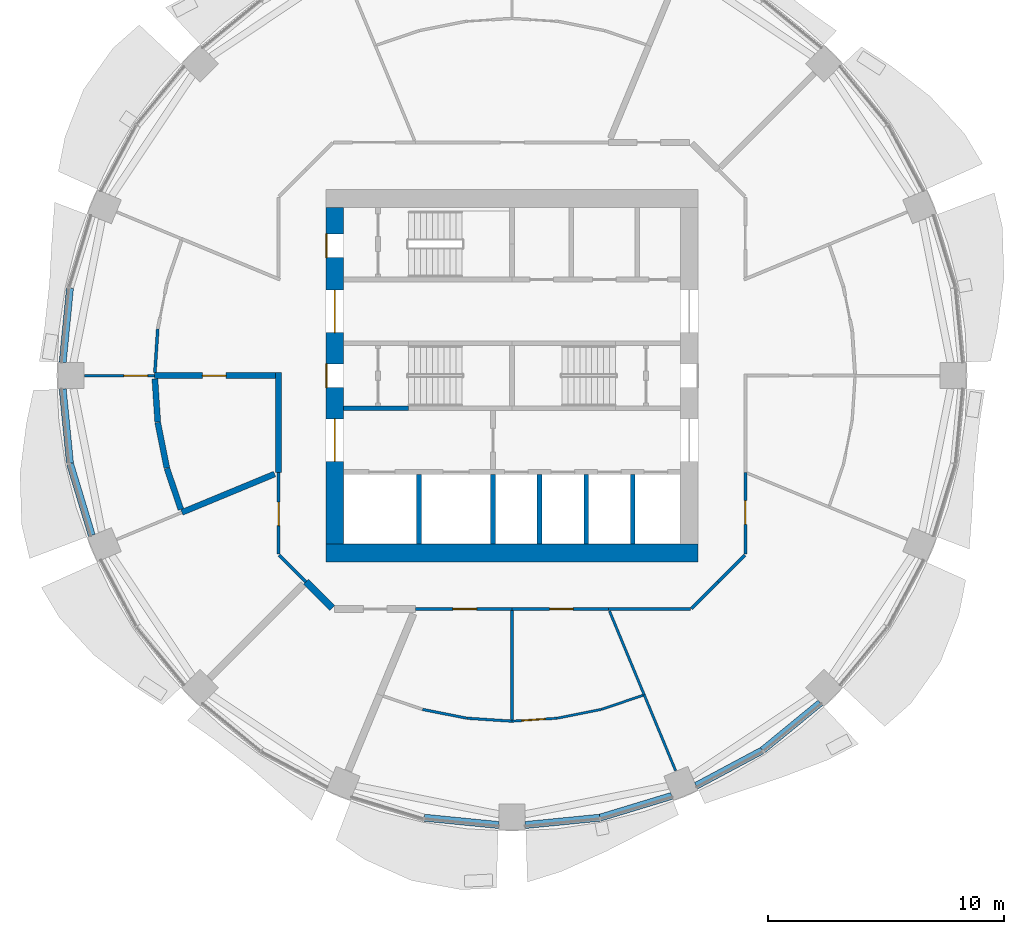
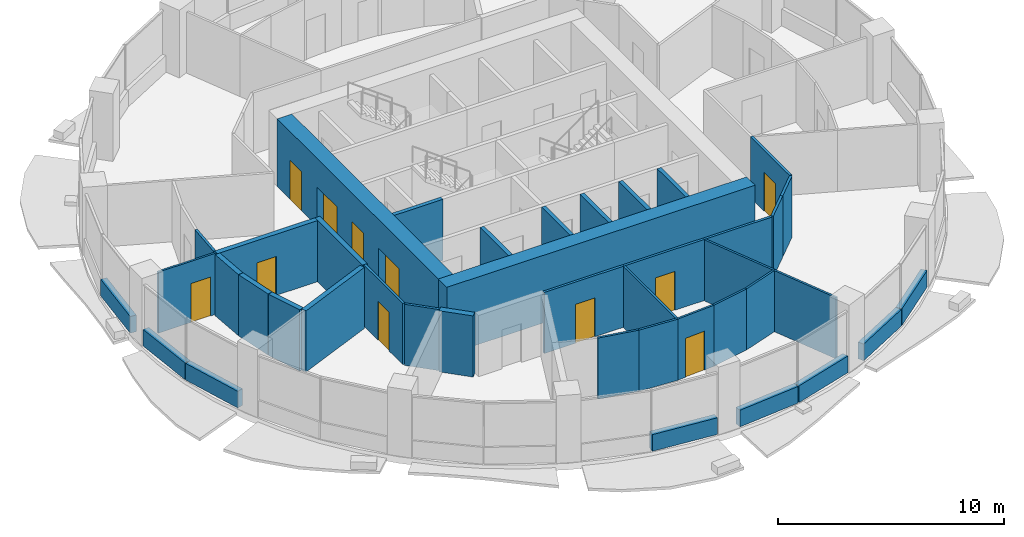
# One storey, part 7 of 14: 41 walls, 11 doors, 11 openings.
"""IFC4 building model written with IfcOpenShell, lengths in metres."""

import ifcopenshell
import ifcopenshell.guid

model = None  # the IFC model being written
_history = None  # IfcOwnerHistory: only IFC2X3 demands one
_inside = {}  # id of a spatial element -> (the spatial element, [elements in it])
_under = {}  # id of a project, library or spatial element -> (it, [spatial elements below it])
_declared = {}  # id of a project -> (the project, [libraries it declares])
_typed = {}  # id of a type object -> (the type object, [elements of that type])
_made_of = {}  # id of a material, layer set ... -> (it, [elements and type objects made of it])


def new_model(schema):
    """Start an empty IFC model of exactly this schema.

    Asked for "IFC4X3", IfcOpenShell would pick the latest addendum, in which some entities
    have other attributes; the version numbers below select the first issue.
    IFC2X3 requires an IfcOwnerHistory on every rooted entity: one is made here for all.
    """
    global model, _history
    if schema == "IFC4X3":
        model = ifcopenshell.file(schema_version=(4, 3, 0, 0))
    else:
        model = ifcopenshell.file(schema=schema)
    _inside.clear()
    _under.clear()
    _declared.clear()
    _typed.clear()
    _made_of.clear()
    _history = None
    if model.schema == "IFC2X3":
        org = make("IfcOrganization", Name="unknown")
        user = make(
            "IfcPersonAndOrganization",
            ThePerson=make("IfcPerson", FamilyName="unknown"),
            TheOrganization=org,
        )
        app = make(
            "IfcApplication",
            ApplicationDeveloper=org,
            Version="unknown",
            ApplicationFullName="unknown",
            ApplicationIdentifier="unknown",
        )
        _history = make(
            "IfcOwnerHistory",
            OwningUser=user,
            OwningApplication=app,
            ChangeAction="ADDED",
            CreationDate=0,
        )
    return model


def make(cls, **values):
    """One entity of the class cls with the attributes given. An attribute that is None is left unset."""
    return model.create_entity(
        cls, **{name: value for name, value in values.items() if value is not None}
    )


def rooted(cls, **values):
    """An entity with a GlobalId (a new one), such as an element, a storey or a relation."""
    return make(cls, GlobalId=ifcopenshell.guid.new(), OwnerHistory=_history, **values)


def si_unit(unit_type, name, prefix=None):
    """IfcSIUnit, for example si_unit("LENGTHUNIT", "METRE", prefix="MILLI")."""
    return make("IfcSIUnit", UnitType=unit_type, Prefix=prefix, Name=name)


def assignment(units):
    """IfcUnitAssignment: the units of a project."""
    return None if units is None else make("IfcUnitAssignment", Units=units)


def point(xyz):
    """IfcCartesianPoint."""
    return None if xyz is None else make("IfcCartesianPoint", Coordinates=xyz)


def direction(xyz):
    """IfcDirection."""
    return None if xyz is None else make("IfcDirection", DirectionRatios=xyz)


def frame(location, z_axis=None, x_axis=None):
    """IfcAxis2Placement3D, a coordinate frame: its origin and axes. An axis left out is left unset."""
    return make(
        "IfcAxis2Placement3D",
        Location=point(location),
        Axis=direction(z_axis),
        RefDirection=direction(x_axis),
    )


def frame_2d(location, x_axis=None):
    """IfcAxis2Placement2D, a coordinate frame in the plane: its origin and x axis."""
    return make(
        "IfcAxis2Placement2D", Location=point(location), RefDirection=direction(x_axis)
    )


def origin():
    """The frame at (0, 0, 0) with its axes left unset."""
    return frame((0.0, 0.0, 0.0))


def place(relative_to, where):
    """IfcLocalPlacement: puts the frame where relative to a parent placement (None: the world)."""
    return make(
        "IfcLocalPlacement", PlacementRelTo=relative_to, RelativePlacement=where
    )


def context(
    kind, dimensions, precision=None, world=None, true_north=None, identifier=None
):
    """IfcGeometricRepresentationContext, for example the 3D "Model" context."""
    return make(
        "IfcGeometricRepresentationContext",
        ContextIdentifier=identifier,
        ContextType=kind,
        CoordinateSpaceDimension=dimensions,
        Precision=precision,
        WorldCoordinateSystem=world,
        TrueNorth=true_north,
    )


def subcontext(parent, identifier, kind, view, scale=None):
    """IfcGeometricRepresentationSubContext, for example "Body" below "Model"."""
    return make(
        "IfcGeometricRepresentationSubContext",
        ContextIdentifier=identifier,
        ContextType=kind,
        ParentContext=parent,
        TargetScale=scale,
        TargetView=view,
    )


def project(units=None, contexts=None):
    """IfcProject with its units and contexts."""
    return rooted(
        "IfcProject",
        Name="project",
        RepresentationContexts=contexts,
        UnitsInContext=assignment(units),
    )


def spatial(cls, under=None, at=None, **own):
    """A site, building, storey or space (cls), placed at a placement, below another one or the project."""
    s = rooted(cls, ObjectPlacement=at, **own)
    if under is not None:
        _under.setdefault(under.id(), (under, []))[1].append(s)
    return s


def profile(cls, at=None, kind="AREA", **sizes):
    """A parametric profile (cls). Its sizes go by their IFC names, for example OverallWidth=200.0."""
    return make(cls, ProfileType=kind, Position=at, **sizes)


def rectangle(**sizes):
    """IfcRectangleProfileDef."""
    return profile("IfcRectangleProfileDef", **sizes)


def extrude(swept, where, along, depth):
    """IfcExtrudedAreaSolid: the profile swept, set in the frame where, extruded along a direction by depth."""
    return make(
        "IfcExtrudedAreaSolid",
        SweptArea=swept,
        Position=where,
        ExtrudedDirection=direction(along),
        Depth=depth,
    )


def shape(context_of_items, identifier, shape_type, items):
    """IfcShapeRepresentation: the items that make up one representation, for example the "Body"."""
    return make(
        "IfcShapeRepresentation",
        ContextOfItems=context_of_items,
        RepresentationIdentifier=identifier,
        RepresentationType=shape_type,
        Items=items,
    )


def material(Name=None, Category=None):
    """IfcMaterial."""
    return make("IfcMaterial", Name=Name, Category=Category)


def layer(
    of_material, thickness, ventilated=None, Name=None, Category=None, Priority=None
):
    """IfcMaterialLayer: one layer of a wall or slab, of a material (None: an air gap)."""
    return make(
        "IfcMaterialLayer",
        Material=of_material,
        LayerThickness=thickness,
        IsVentilated=ventilated,
        Name=Name,
        Category=Category,
        Priority=Priority,
    )


def layer_set(layers, Name=None):
    """IfcMaterialLayerSet."""
    return make("IfcMaterialLayerSet", MaterialLayers=layers, LayerSetName=Name)


def made_of(thing, what):
    """Note that an element or type object is made of a material, layer set ...; save() writes the relation."""
    if what is not None:
        _made_of.setdefault(what.id(), (what, []))[1].append(thing)
    return thing


def type_object(cls, material=None, **own):
    """A type object (cls), such as IfcWallType, which elements share."""
    return made_of(rooted(cls, **own), material)


def element(
    cls,
    number,
    at=None,
    inside=None,
    cuts=None,
    type_object=None,
    material=None,
    context=None,
    identifier="Body",
    shape_type=None,
    held_by="IfcProductDefinitionShape",
    body=None,
    shapes=None,
    **own,
):
    """One element of the class cls, such as IfcWall. Its Tag is "e" and its number.

    at: its placement. inside: the storey or other place that contains it. cuts: it is an
    opening in that element (IfcRelVoidsElement). A single representation is given by context,
    identifier, shape_type and body (its items); several are given by shapes. held_by: the class
    of the entity that holds the representations. save() writes the other relations.
    """
    e = rooted(cls, Tag="e%d" % number, ObjectPlacement=at, **own)
    if body is not None:
        shapes = [shape(context, identifier, shape_type, body)]
    if shapes is not None:
        e.Representation = make(held_by, Representations=shapes)
    if inside is not None:
        _inside.setdefault(inside.id(), (inside, []))[1].append(e)
    if cuts is not None:
        rooted(
            "IfcRelVoidsElement", RelatingBuildingElement=cuts, RelatedOpeningElement=e
        )
    if type_object is not None:
        _typed.setdefault(type_object.id(), (type_object, []))[1].append(e)
    return made_of(e, material)


def fill(opening, filler):
    """IfcRelFillsElement: the door or window that sits in an opening."""
    return rooted(
        "IfcRelFillsElement",
        RelatingOpeningElement=opening,
        RelatedBuildingElement=filler,
    )


def aggregate(whole, parts):
    """IfcRelAggregates: a whole, such as a stair, and the parts it consists of."""
    return rooted("IfcRelAggregates", RelatingObject=whole, RelatedObjects=parts)


def save(model, path):
    """Write the relations noted so far, then the file.

    IfcRelAggregates (storeys below a building ...), IfcRelContainedInSpatialStructure (elements
    in a storey), IfcRelDefinesByType, IfcRelAssociatesMaterial and IfcRelDeclares: one each for
    every whole, place, type object, material and project.
    """
    for whole, parts in _under.values():
        aggregate(whole, parts)
    for where, things in _inside.values():
        rooted(
            "IfcRelContainedInSpatialStructure",
            RelatedElements=things,
            RelatingStructure=where,
        )
    for kind, things in _typed.values():
        rooted("IfcRelDefinesByType", RelatedObjects=things, RelatingType=kind)
    for what, things in _made_of.values():
        rooted("IfcRelAssociatesMaterial", RelatedObjects=things, RelatingMaterial=what)
    for by, libraries in _declared.values():
        rooted("IfcRelDeclares", RelatingContext=by, RelatedDefinitions=libraries)
    model.write(path)


model = new_model("IFC4")

# Units and contexts
model_context = context("Model", 3, precision=1e-05, world=origin(), true_north=direction((0.0, 1.0)))
body_context = subcontext(model_context, "Body", "Model", "MODEL_VIEW")
ifc_project = project(units=[si_unit("LENGTHUNIT", "METRE"), si_unit("AREAUNIT", "SQUARE_METRE"), si_unit("VOLUMEUNIT", "CUBIC_METRE"), si_unit("PLANEANGLEUNIT", "RADIAN"), si_unit("MASSUNIT", "GRAM", prefix="KILO")], contexts=[model_context])

# Site, building, storey
site_placement = place(None, origin())
site = spatial("IfcSite", under=ifc_project, at=site_placement, CompositionType="ELEMENT")
building_placement = place(site_placement, origin())
building = spatial("IfcBuilding", under=site, at=building_placement, Name="Polderwave Tower", CompositionType="ELEMENT")
storey_placement = place(building_placement, frame((0.0, 0.0, 98.300048828125)))
storey = spatial("IfcBuildingStorey", under=building, at=storey_placement, Name="L25", CompositionType="ELEMENT", Elevation=98.300048828125)

# Wall
ifc_material_1 = material(Name="Concrete C70/85", Category="concrete")
ifc_layer_1 = layer(ifc_material_1, 0.75)
ifc_layer_set_1 = layer_set([ifc_layer_1], Name="CORE WALL 750 C70/85")
wall_type_1 = type_object("IfcWallType", Name="CORE WALL 750 C70/85", PredefinedType="SHEAR", material=ifc_layer_set_1)
wall_1_placement = place(storey_placement, frame((-7.8740234375, -7.4990234375, 0.0), z_axis=(0.0, 0.0, 1.0), x_axis=(1.0, 0.0, 0.0)))
element("IfcWall", 1, at=wall_1_placement, inside=storey, type_object=wall_type_1, Name="ST-CORE-L25-S", PredefinedType="SHEAR", context=body_context, shape_type="SweptSolid", body=[
    extrude(rectangle(XDim=15.748046875, YDim=0.75, at=frame_2d((7.8740234375, 0.0))), origin(), (0.0, 0.0, 1.0), 3.64990234375),
])

# Wall, openings, doors
wall_2_placement = place(storey_placement, frame((-7.4990234375, -7.1240234375, 0.0), z_axis=(0.0, 0.0, 1.0), x_axis=(0.0, 1.0, 0.0)))
wall_2 = element("IfcWall", 2, at=wall_2_placement, inside=storey, type_object=wall_type_1, Name="ST-CORE-L25-W", PredefinedType="SHEAR", context=body_context, shape_type="SweptSolid", body=[
    extrude(rectangle(XDim=14.248046875, YDim=0.75, at=frame_2d((7.1240234375, 0.0))), origin(), (0.0, 0.0, 1.0), 3.64990234375),
])
opening_1_placement = place(wall_2_placement, frame((6.6240234375, 0.0, 0.0)))
opening_1 = element("IfcOpeningElement", 3, at=opening_1_placement, cuts=wall_2, Name="Opening L25-D17", PredefinedType="OPENING", context=body_context, shape_type="SweptSolid", body=[
    extrude(rectangle(XDim=1.0, YDim=2.10009765625, at=frame_2d((0.5, 1.050048828125))), frame((0.0, 0.385009765625, 0.0), z_axis=(0.0, -1.0, 0.0), x_axis=(1.0, 0.0, 0.0)), (0.0, 0.0, 1.0), 0.77001953125),
])
opening_2_placement = place(wall_2_placement, frame((3.49951171875, 0.0, 0.0)))
opening_2 = element("IfcOpeningElement", 4, at=opening_2_placement, cuts=wall_2, Name="Opening L25-D18", PredefinedType="OPENING", context=body_context, shape_type="SweptSolid", body=[
    extrude(rectangle(XDim=1.800048828125, YDim=2.10009765625, at=frame_2d((0.89990234375, 1.050048828125))), frame((0.0, 0.385009765625, 0.0), z_axis=(0.0, -1.0, 0.0), x_axis=(1.0, 0.0, 0.0)), (0.0, 0.0, 1.0), 0.77001953125),
])
opening_3_placement = place(wall_2_placement, frame((8.948486328125, 0.0, 0.0)))
opening_3 = element("IfcOpeningElement", 5, at=opening_3_placement, cuts=wall_2, Name="Opening L25-D19", PredefinedType="OPENING", context=body_context, shape_type="SweptSolid", body=[
    extrude(rectangle(XDim=1.800048828125, YDim=2.10009765625, at=frame_2d((0.89990234375, 1.050048828125))), frame((0.0, 0.385009765625, 0.0), z_axis=(0.0, -1.0, 0.0), x_axis=(1.0, 0.0, 0.0)), (0.0, 0.0, 1.0), 0.77001953125),
])
opening_4_placement = place(wall_2_placement, frame((12.1240234375, 0.0, 0.0)))
opening_4 = element("IfcOpeningElement", 6, at=opening_4_placement, cuts=wall_2, Name="Opening L25-D20", PredefinedType="OPENING", context=body_context, shape_type="SweptSolid", body=[
    extrude(rectangle(XDim=1.0, YDim=2.10009765625, at=frame_2d((0.5, 1.050048828125))), frame((0.0, 0.385009765625, 0.0), z_axis=(0.0, -1.0, 0.0), x_axis=(1.0, 0.0, 0.0)), (0.0, 0.0, 1.0), 0.77001953125),
])
ifc_material_2 = material(Name="Steel fire door", Category="steel")
door_type_1 = type_object("IfcDoorType", Name="Lobby entry door pair 1800", OperationType="DOUBLE_DOOR_SINGLE_SWING", PredefinedType="DOOR", material=ifc_material_2)
door_1_placement = place(opening_2_placement, origin())
door_1 = element("IfcDoor", 7, at=door_1_placement, inside=storey, type_object=door_type_1, Name="Fire-fighting lobby entry door", OperationType="DOUBLE_DOOR_SINGLE_SWING", OverallHeight=2.10009765625, OverallWidth=1.800048828125, PredefinedType="DOOR", context=body_context, shape_type="SweptSolid", body=[
    extrude(rectangle(XDim=1.800048828125, YDim=2.10009765625, at=frame_2d((0.89990234375, 1.050048828125))), frame((0.0, 0.02490234375, 0.0), z_axis=(0.0, -1.0, 0.0), x_axis=(1.0, 0.0, 0.0)), (0.0, 0.0, 1.0), 0.050048828125),
])
fill(opening_2, door_1)
door_2_placement = place(opening_3_placement, origin())
door_2 = element("IfcDoor", 8, at=door_2_placement, inside=storey, type_object=door_type_1, Name="North lobby entry door", OperationType="DOUBLE_DOOR_SINGLE_SWING", OverallHeight=2.10009765625, OverallWidth=1.800048828125, PredefinedType="DOOR", context=body_context, shape_type="SweptSolid", body=[
    extrude(rectangle(XDim=1.800048828125, YDim=2.10009765625, at=frame_2d((0.89990234375, 1.050048828125))), frame((0.0, 0.02490234375, 0.0), z_axis=(0.0, -1.0, 0.0), x_axis=(1.0, 0.0, 0.0)), (0.0, 0.0, 1.0), 0.050048828125),
])
fill(opening_3, door_2)
door_type_2 = type_object("IfcDoorType", Name="Stair door 1000", OperationType="NOTDEFINED", PredefinedType="DOOR", material=ifc_material_2)
door_3_placement = place(opening_1_placement, origin())
door_3 = element("IfcDoor", 9, at=door_3_placement, inside=storey, type_object=door_type_2, Name="Stair A entry door", OperationType="SINGLE_SWING_RIGHT", OverallHeight=2.10009765625, OverallWidth=1.0, PredefinedType="DOOR", context=body_context, shape_type="SweptSolid", body=[
    extrude(rectangle(XDim=1.0, YDim=2.10009765625, at=frame_2d((0.5, 1.050048828125))), frame((0.0, 0.375, 0.0), z_axis=(0.0, -1.0, 0.0), x_axis=(1.0, 0.0, 0.0)), (0.0, 0.0, 1.0), 0.050048828125),
])
fill(opening_1, door_3)
door_4_placement = place(opening_4_placement, origin())
door_4 = element("IfcDoor", 10, at=door_4_placement, inside=storey, type_object=door_type_2, Name="Stair C entry door", OperationType="SINGLE_SWING_RIGHT", OverallHeight=2.10009765625, OverallWidth=1.0, PredefinedType="DOOR", context=body_context, shape_type="SweptSolid", body=[
    extrude(rectangle(XDim=1.0, YDim=2.10009765625, at=frame_2d((0.5, 1.050048828125))), frame((0.0, 0.375, 0.0), z_axis=(0.0, -1.0, 0.0), x_axis=(1.0, 0.0, 0.0)), (0.0, 0.0, 1.0), 0.050048828125),
])
fill(opening_4, door_4)

# Walls
ifc_material_3 = material(Name="Insulated sandwich panel")
ifc_layer_2 = layer(ifc_material_3, 0.300048828125)
ifc_layer_set_2 = layer_set([ifc_layer_2], Name="Cold room wall 300 mm insulated panel")
wall_type_2 = type_object("IfcWallType", Name="Cold room wall 300 mm insulated panel", PredefinedType="PARTITIONING", material=ifc_layer_set_2)
wall_3_placement = place(storey_placement, frame((-7.614990234375, -9.830078125, 0.0), z_axis=(0.0, 0.0, 1.0), x_axis=(-0.707028841614, 0.70718471217, 0.0)))
element("IfcWall", 11, at=wall_3_placement, inside=storey, type_object=wall_type_2, Name="IN-L25-W016", PredefinedType="PARTITIONING", context=body_context, shape_type="SweptSolid", body=[
    extrude(rectangle(XDim=1.56640625, YDim=0.300048828125, at=frame_2d((0.783203125, 0.0))), origin(), (0.0, 0.0, 1.0), 3.300048828125),
])
ifc_material_4 = material(Name="Concrete C50/60 (board-marked)", Category="concrete")
ifc_layer_3 = layer(ifc_material_4, 0.300048828125)
ifc_layer_set_3 = layer_set([ifc_layer_3], Name="Concrete spandrel upstand C50/60")
wall_type_3 = type_object("IfcWallType", Name="Concrete spandrel upstand C50/60", PredefinedType="SOLIDWALL", material=ifc_layer_set_3)
for number, where, z_axis, x_axis, name in (
    (12, (-18.70556640625, 3.705078125, 0.0), (0.0, 0.0, 1.0), (-0.097849336863, -0.995201239587, 0.0), "Spandrel L25 8b"),
    (13, (-19.014404296875, -0.56396484375, 0.0), (0.0, 0.0, 1.0), (0.097849336863, -0.995201239587, 0.0), "Spandrel L25 9a"),
):
    element("IfcWall", number, at=place(storey_placement, frame(where, z_axis=z_axis, x_axis=x_axis)), inside=storey, type_object=wall_type_3, Name=name, PredefinedType="SOLIDWALL", context=body_context, shape_type="SweptSolid", body=[
        extrude(rectangle(XDim=3.15625, YDim=0.300048828125, at=frame_2d((1.578125, 0.0))), origin(), (0.0, 0.0, 1.0), 0.89990234375),
    ])
wall_4_placement = place(storey_placement, frame((-18.69970703125, -3.734375, 0.0), z_axis=(0.0, 0.0, 1.0), x_axis=(0.290503096001, -0.956874051907, 0.0)))
element("IfcWall", 14, at=wall_4_placement, inside=storey, type_object=wall_type_3, Name="Spandrel L25 9b", PredefinedType="SOLIDWALL", context=body_context, shape_type="SweptSolid", body=[
    extrude(rectangle(XDim=3.157470703125, YDim=0.300048828125, at=frame_2d((1.57861328125, 0.0))), origin(), (0.0, 0.0, 1.0), 0.89990234375),
])
for number, where, z_axis, x_axis, name in (
    (15, (-3.705078125, -18.70556640625, 0.0), (0.0, 0.0, 1.0), (0.995201239587, -0.097849336863, 0.0), "Spandrel L25 12b"),
    (16, (0.56396484375, -19.014404296875, 0.0), (0.0, 0.0, 1.0), (0.995201239587, 0.097849336863, 0.0), "Spandrel L25 13a"),
):
    element("IfcWall", number, at=place(storey_placement, frame(where, z_axis=z_axis, x_axis=x_axis)), inside=storey, type_object=wall_type_3, Name=name, PredefinedType="SOLIDWALL", context=body_context, shape_type="SweptSolid", body=[
        extrude(rectangle(XDim=3.15625, YDim=0.300048828125, at=frame_2d((1.578125, 0.0))), origin(), (0.0, 0.0, 1.0), 0.89990234375),
    ])
wall_5_placement = place(storey_placement, frame((3.734375, -18.69970703125, 0.0), z_axis=(0.0, 0.0, 1.0), x_axis=(0.956874051907, 0.290503096001, 0.0)))
element("IfcWall", 17, at=wall_5_placement, inside=storey, type_object=wall_type_3, Name="Spandrel L25 13b", PredefinedType="SOLIDWALL", context=body_context, shape_type="SweptSolid", body=[
    extrude(rectangle(XDim=3.157470703125, YDim=0.300048828125, at=frame_2d((1.57861328125, 0.0))), origin(), (0.0, 0.0, 1.0), 0.89990234375),
])
for number, where, z_axis, x_axis, name in (
    (18, (7.797119140625, -17.350830078125, 0.0), (0.0, 0.0, 1.0), (0.882005928597, 0.471238306932, 0.0), "Spandrel L25 14a"),
    (19, (10.606689453125, -15.846435546875, 0.0), (0.0, 0.0, 1.0), (0.773022810229, 0.63437822698, 0.0), "Spandrel L25 14b"),
):
    element("IfcWall", number, at=place(storey_placement, frame(where, z_axis=z_axis, x_axis=x_axis)), inside=storey, type_object=wall_type_3, Name=name, PredefinedType="SOLIDWALL", context=body_context, shape_type="SweptSolid", body=[
        extrude(rectangle(XDim=3.1572265625, YDim=0.300048828125, at=frame_2d((1.57861328125, 0.0))), origin(), (0.0, 0.0, 1.0), 0.89990234375),
    ])
ifc_material_5 = material(Name="Concrete C50/60", Category="concrete")
ifc_layer_4 = layer(ifc_material_5, 0.199951171875)
ifc_layer_set_4 = layer_set([ifc_layer_4], Name="Core web wall 200")
wall_type_4 = type_object("IfcWallType", Name="Core web wall 200", PredefinedType="SHEAR", material=ifc_layer_set_4)
wall_6_placement = place(storey_placement, frame((-7.1240234375, -1.375, 0.0), z_axis=(0.0, 0.0, 1.0), x_axis=(1.0, 0.0, 0.0)))
element("IfcWall", 20, at=wall_6_placement, inside=storey, type_object=wall_type_4, Name="L25 south stair wall 1", PredefinedType="SHEAR", context=body_context, shape_type="SweptSolid", body=[
    extrude(rectangle(XDim=2.75, YDim=0.199951171875, at=frame_2d((1.375, 0.0))), origin(), (0.0, 0.0, 1.0), 3.300048828125),
])
ifc_material_6 = material(Name="Fire-resisting board on steel studs", Category="steel")
ifc_layer_5 = layer(ifc_material_6, 0.125)
ifc_layer_set_5 = layer_set([ifc_layer_5], Name="Corridor wall 125 mm EI 60")
wall_type_5 = type_object("IfcWallType", Name="Corridor wall 125 mm EI 60", PredefinedType="PARTITIONING", material=ifc_layer_set_5)
wall_7_placement = place(storey_placement, frame((9.855712890625, -7.58935546875, 0.0), z_axis=(0.0, 0.0, 1.0), x_axis=(-0.70718294931, -0.707030604857, 0.0)))
element("IfcWall", 21, at=wall_7_placement, inside=storey, type_object=wall_type_5, Name="IN-L25-W003", PredefinedType="PARTITIONING", context=body_context, shape_type="SweptSolid", body=[
    extrude(rectangle(XDim=1.6025390625, YDim=0.125, at=frame_2d((0.80126953125, 0.0))), origin(), (0.0, 0.0, 1.0), 3.300048828125),
])

# Wall, opening, door
wall_8_placement = place(storey_placement, frame((9.8740234375, -4.08984375, 0.0), z_axis=(0.0, 0.0, 1.0), x_axis=(0.0, -1.0, 0.0)))
wall_8 = element("IfcWall", 22, at=wall_8_placement, inside=storey, type_object=wall_type_5, Name="IN-L25-W004", PredefinedType="PARTITIONING", context=body_context, shape_type="SweptSolid", body=[
    extrude(rectangle(XDim=3.455322265625, YDim=0.125, at=frame_2d((1.7275390625, 0.0))), origin(), (0.0, 0.0, 1.0), 3.300048828125),
])
opening_5_placement = place(wall_8_placement, frame((1.199951171875, 0.0, 0.0)))
opening_5 = element("IfcOpeningElement", 23, at=opening_5_placement, cuts=wall_8, Name="Opening L25-D51", PredefinedType="OPENING", context=body_context, shape_type="SweptSolid", body=[
    extrude(rectangle(XDim=1.0, YDim=2.10009765625, at=frame_2d((0.5, 1.050048828125))), frame((0.0, 0.072509765625, 0.0), z_axis=(0.0, -1.0, 0.0), x_axis=(1.0, 0.0, 0.0)), (0.0, 0.0, 1.0), 0.14501953125),
])
ifc_material_7 = material(Name="Timber fire door leaf", Category="wood")
door_type_3 = type_object("IfcDoorType", Name="Fire door FD30S 1000 x 2100", OperationType="NOTDEFINED", PredefinedType="DOOR", material=ifc_material_7)
door_5_placement = place(opening_5_placement, origin())
door_5 = element("IfcDoor", 24, at=door_5_placement, inside=storey, type_object=door_type_3, Name="Door L25-D51", OperationType="SINGLE_SWING_LEFT", OverallHeight=2.10009765625, OverallWidth=1.0, PredefinedType="DOOR", context=body_context, shape_type="SweptSolid", body=[
    extrude(rectangle(XDim=1.0, YDim=2.10009765625, at=frame_2d((0.5, 1.050048828125))), frame((0.0, 0.02490234375, 0.0), z_axis=(0.0, -1.0, 0.0), x_axis=(1.0, 0.0, 0.0)), (0.0, 0.0, 1.0), 0.050048828125),
])
fill(opening_5, door_5)

wall_9_placement = place(storey_placement, frame((-9.8740234375, -7.545166015625, 0.0), z_axis=(0.0, 0.0, 1.0), x_axis=(0.0, 1.0, 0.0)))
wall_9 = element("IfcWall", 25, at=wall_9_placement, inside=storey, type_object=wall_type_5, Name="IN-L25-W014", PredefinedType="PARTITIONING", context=body_context, shape_type="SweptSolid", body=[
    extrude(rectangle(XDim=3.455322265625, YDim=0.125, at=frame_2d((1.7275390625, 0.0))), origin(), (0.0, 0.0, 1.0), 3.300048828125),
])
opening_6_placement = place(wall_9_placement, frame((1.199951171875, 0.0, 0.0)))
opening_6 = element("IfcOpeningElement", 26, at=opening_6_placement, cuts=wall_9, Name="Opening L25-D55", PredefinedType="OPENING", context=body_context, shape_type="SweptSolid", body=[
    extrude(rectangle(XDim=1.0, YDim=2.10009765625, at=frame_2d((0.5, 1.050048828125))), frame((0.0, 0.072509765625, 0.0), z_axis=(0.0, -1.0, 0.0), x_axis=(1.0, 0.0, 0.0)), (0.0, 0.0, 1.0), 0.14501953125),
])
door_6_placement = place(opening_6_placement, origin())
door_6 = element("IfcDoor", 27, at=door_6_placement, inside=storey, type_object=door_type_3, Name="Door L25-D55", OperationType="SINGLE_SWING_LEFT", OverallHeight=2.10009765625, OverallWidth=1.0, PredefinedType="DOOR", context=body_context, shape_type="SweptSolid", body=[
    extrude(rectangle(XDim=1.0, YDim=2.10009765625, at=frame_2d((0.5, 1.050048828125))), frame((0.0, 0.02490234375, 0.0), z_axis=(0.0, -1.0, 0.0), x_axis=(1.0, 0.0, 0.0)), (0.0, 0.0, 1.0), 0.050048828125),
])
fill(opening_6, door_6)

# Wall
wall_10_placement = place(storey_placement, frame((-8.722412109375, -8.722412109375, 0.0), z_axis=(0.0, 0.0, 1.0), x_axis=(-0.70718294931, 0.707030604857, 0.0)))
element("IfcWall", 28, at=wall_10_placement, inside=storey, type_object=wall_type_5, Name="IN-L25-W015", PredefinedType="PARTITIONING", context=body_context, shape_type="SweptSolid", body=[
    extrude(rectangle(XDim=1.6025390625, YDim=0.125, at=frame_2d((0.80126953125, 0.0))), origin(), (0.0, 0.0, 1.0), 3.300048828125),
])

# Wall, opening, door
wall_11_placement = place(storey_placement, frame((0.0, -9.8740234375, 0.0), z_axis=(0.0, 0.0, 1.0), x_axis=(-1.0, 0.0, 0.0)))
wall_11 = element("IfcWall", 29, at=wall_11_placement, inside=storey, type_object=wall_type_5, Name="IN-L25-W018", PredefinedType="PARTITIONING", context=body_context, shape_type="SweptSolid", body=[
    extrude(rectangle(XDim=4.08984375, YDim=0.125, at=frame_2d((2.044921875, 0.0))), origin(), (0.0, 0.0, 1.0), 3.300048828125),
])
opening_7_placement = place(wall_11_placement, frame((1.5, 0.0, 0.0)))
opening_7 = element("IfcOpeningElement", 30, at=opening_7_placement, cuts=wall_11, Name="Opening L25-D57", PredefinedType="OPENING", context=body_context, shape_type="SweptSolid", body=[
    extrude(rectangle(XDim=1.0, YDim=2.10009765625, at=frame_2d((0.5, 1.050048828125))), frame((0.0, 0.072509765625, 0.0), z_axis=(0.0, -1.0, 0.0), x_axis=(1.0, 0.0, 0.0)), (0.0, 0.0, 1.0), 0.14501953125),
])
door_7_placement = place(opening_7_placement, origin())
door_7 = element("IfcDoor", 31, at=door_7_placement, inside=storey, type_object=door_type_3, Name="Door L25-D57", OperationType="SINGLE_SWING_LEFT", OverallHeight=2.10009765625, OverallWidth=1.0, PredefinedType="DOOR", context=body_context, shape_type="SweptSolid", body=[
    extrude(rectangle(XDim=1.0, YDim=2.10009765625, at=frame_2d((0.5, 1.050048828125))), frame((0.0, 0.02490234375, 0.0), z_axis=(0.0, -1.0, 0.0), x_axis=(1.0, 0.0, 0.0)), (0.0, 0.0, 1.0), 0.050048828125),
])
fill(opening_7, door_7)

wall_12_placement = place(storey_placement, frame((4.08984375, -9.8740234375, 0.0), z_axis=(0.0, 0.0, 1.0), x_axis=(-1.0, 0.0, 0.0)))
wall_12 = element("IfcWall", 32, at=wall_12_placement, inside=storey, type_object=wall_type_5, Name="IN-L25-W019", PredefinedType="PARTITIONING", context=body_context, shape_type="SweptSolid", body=[
    extrude(rectangle(XDim=4.08984375, YDim=0.125, at=frame_2d((2.044921875, 0.0))), origin(), (0.0, 0.0, 1.0), 3.300048828125),
])
opening_8_placement = place(wall_12_placement, frame((1.5, 0.0, 0.0)))
opening_8 = element("IfcOpeningElement", 33, at=opening_8_placement, cuts=wall_12, Name="Opening L25-D58", PredefinedType="OPENING", context=body_context, shape_type="SweptSolid", body=[
    extrude(rectangle(XDim=1.0, YDim=2.10009765625, at=frame_2d((0.5, 1.050048828125))), frame((0.0, 0.072509765625, 0.0), z_axis=(0.0, -1.0, 0.0), x_axis=(1.0, 0.0, 0.0)), (0.0, 0.0, 1.0), 0.14501953125),
])
door_8_placement = place(opening_8_placement, origin())
door_8 = element("IfcDoor", 34, at=door_8_placement, inside=storey, type_object=door_type_3, Name="Door L25-D58", OperationType="SINGLE_SWING_LEFT", OverallHeight=2.10009765625, OverallWidth=1.0, PredefinedType="DOOR", context=body_context, shape_type="SweptSolid", body=[
    extrude(rectangle(XDim=1.0, YDim=2.10009765625, at=frame_2d((0.5, 1.050048828125))), frame((0.0, 0.02490234375, 0.0), z_axis=(0.0, -1.0, 0.0), x_axis=(1.0, 0.0, 0.0)), (0.0, 0.0, 1.0), 0.050048828125),
])
fill(opening_8, door_8)

# Walls
wall_13_placement = place(storey_placement, frame((7.545166015625, -9.8740234375, 0.0), z_axis=(0.0, 0.0, 1.0), x_axis=(-1.0, 0.0, 0.0)))
element("IfcWall", 35, at=wall_13_placement, inside=storey, type_object=wall_type_5, Name="IN-L25-W020", PredefinedType="PARTITIONING", context=body_context, shape_type="SweptSolid", body=[
    extrude(rectangle(XDim=3.455322265625, YDim=0.125, at=frame_2d((1.7275390625, 0.0))), origin(), (0.0, 0.0, 1.0), 3.300048828125),
])
wall_14_placement = place(storey_placement, frame((8.722412109375, -8.722412109375, 0.0), z_axis=(0.0, 0.0, 1.0), x_axis=(-0.707030604857, -0.70718294931, 0.0)))
element("IfcWall", 36, at=wall_14_placement, inside=storey, type_object=wall_type_5, Name="IN-L25-W021", PredefinedType="PARTITIONING", context=body_context, shape_type="SweptSolid", body=[
    extrude(rectangle(XDim=1.6025390625, YDim=0.125, at=frame_2d((0.80126953125, 0.0))), origin(), (0.0, 0.0, 1.0), 3.300048828125),
])
wall_15_placement = place(storey_placement, frame((-15.111572265625, 0.129150390625, 0.0), z_axis=(0.0, 0.0, 1.0), x_axis=(0.065394347625, 0.997859498777, 0.0)))
element("IfcWall", 37, at=wall_15_placement, inside=storey, type_object=wall_type_5, Name="IN-L25-W043", PredefinedType="PARTITIONING", context=body_context, shape_type="SweptSolid", body=[
    extrude(rectangle(XDim=1.84423828125, YDim=0.125, at=frame_2d((0.922119140625, 0.0))), origin(), (0.0, 0.0, 1.0), 3.300048828125),
])

# Wall, opening, door
ifc_material_8 = material(Name="Plasterboard on steel studs", Category="steel")
ifc_layer_6 = layer(ifc_material_8, 0.10009765625)
ifc_layer_set_6 = layer_set([ifc_layer_6], Name="Partition 100 mm plasterboard on steel studs")
wall_type_6 = type_object("IfcWallType", Name="Partition 100 mm plasterboard on steel studs", PredefinedType="PARTITIONING", material=ifc_layer_set_6)
wall_16_placement = place(storey_placement, frame((-15.1201171875, 0.0, 0.0), z_axis=(0.0, 0.0, 1.0), x_axis=(-1.0, 0.0, 0.0)))
wall_16 = element("IfcWall", 38, at=wall_16_placement, inside=storey, type_object=wall_type_6, Name="IN-L25-W047", PredefinedType="PARTITIONING", context=body_context, shape_type="SweptSolid", body=[
    extrude(rectangle(XDim=2.969970703125, YDim=0.10009765625, at=frame_2d((1.48486328125, 0.0))), origin(), (0.0, 0.0, 1.0), 3.300048828125),
])
opening_9_placement = place(wall_16_placement, frame((0.300048828125, 0.0, 0.0)))
opening_9 = element("IfcOpeningElement", 39, at=opening_9_placement, cuts=wall_16, Name="Opening L25-D65", PredefinedType="OPENING", context=body_context, shape_type="SweptSolid", body=[
    extrude(rectangle(XDim=1.0, YDim=2.10009765625, at=frame_2d((0.5, 1.050048828125))), frame((0.0, 0.06005859375, 0.0), z_axis=(0.0, -1.0, 0.0), x_axis=(1.0, 0.0, 0.0)), (0.0, 0.0, 1.0), 0.1201171875),
])
ifc_material_9 = material(Name="Timber veneer door leaf", Category="wood")
door_type_4 = type_object("IfcDoorType", Name="Single door 1000 x 2100", OperationType="NOTDEFINED", PredefinedType="DOOR", material=ifc_material_9)
door_9_placement = place(opening_9_placement, origin())
door_9 = element("IfcDoor", 40, at=door_9_placement, inside=storey, type_object=door_type_4, Name="Door L25-D65", OperationType="SINGLE_SWING_LEFT", OverallHeight=2.10009765625, OverallWidth=1.0, PredefinedType="DOOR", context=body_context, shape_type="SweptSolid", body=[
    extrude(rectangle(XDim=1.0, YDim=2.10009765625, at=frame_2d((0.5, 1.050048828125))), frame((0.0, 0.02490234375, 0.0), z_axis=(0.0, -1.0, 0.0), x_axis=(1.0, 0.0, 0.0)), (0.0, 0.0, 1.0), 0.050048828125),
])
fill(opening_9, door_9)

wall_17_placement = place(storey_placement, frame((1.905029296875, -14.4951171875, 0.0), z_axis=(0.0, 0.0, 1.0), x_axis=(-0.997854210562, -0.065474991133, 0.0)))
wall_17 = element("IfcWall", 41, at=wall_17_placement, inside=storey, type_object=wall_type_6, Name="IN-L25-W060", PredefinedType="PARTITIONING", context=body_context, shape_type="SweptSolid", body=[
    extrude(rectangle(XDim=1.9091796875, YDim=0.10009765625, at=frame_2d((0.95458984375, 0.0))), origin(), (0.0, 0.0, 1.0), 3.300048828125),
])
opening_10_placement = place(wall_17_placement, frame((0.5, 0.0, 0.0)))
opening_10 = element("IfcOpeningElement", 42, at=opening_10_placement, cuts=wall_17, Name="Opening L25-D66", PredefinedType="OPENING", context=body_context, shape_type="SweptSolid", body=[
    extrude(rectangle(XDim=1.0, YDim=2.10009765625, at=frame_2d((0.5, 1.050048828125))), frame((0.0, 0.06005859375, 0.0), z_axis=(0.0, -1.0, 0.0), x_axis=(1.0, 0.0, 0.0)), (0.0, 0.0, 1.0), 0.1201171875),
])
door_10_placement = place(opening_10_placement, origin())
door_10 = element("IfcDoor", 43, at=door_10_placement, inside=storey, type_object=door_type_4, Name="Door L25-D66", OperationType="SINGLE_SWING_RIGHT", OverallHeight=2.10009765625, OverallWidth=1.0, PredefinedType="DOOR", context=body_context, shape_type="SweptSolid", body=[
    extrude(rectangle(XDim=1.0, YDim=2.10009765625, at=frame_2d((0.5, 1.050048828125))), frame((0.0, 0.02490234375, 0.0), z_axis=(0.0, -1.0, 0.0), x_axis=(1.0, 0.0, 0.0)), (0.0, 0.0, 1.0), 0.050048828125),
])
fill(opening_10, door_10)

# Walls
wall_18_placement = place(storey_placement, frame((1.91162109375, -14.494384765625, 0.0), z_axis=(0.0, 0.0, 1.0), x_axis=(0.980757648215, 0.195229187027, 0.0)))
element("IfcWall", 44, at=wall_18_placement, inside=storey, type_object=wall_type_6, Name="IN-L25-W061", PredefinedType="PARTITIONING", context=body_context, shape_type="SweptSolid", body=[
    extrude(rectangle(XDim=1.90576171875, YDim=0.10009765625, at=frame_2d((0.952880859375, 0.0))), origin(), (0.0, 0.0, 1.0), 3.300048828125),
])
wall_19_placement = place(storey_placement, frame((3.787109375, -14.12060546875, 0.0), z_axis=(0.0, 0.0, 1.0), x_axis=(0.946970110486, 0.321321661029, 0.0)))
element("IfcWall", 45, at=wall_19_placement, inside=storey, type_object=wall_type_6, Name="IN-L25-W062", PredefinedType="PARTITIONING", context=body_context, shape_type="SweptSolid", body=[
    extrude(rectangle(XDim=1.853271484375, YDim=0.10009765625, at=frame_2d((0.9267578125, 0.0))), origin(), (0.0, 0.0, 1.0), 3.300048828125),
])
ifc_material_10 = material(Name="Moisture-resistant board on steel studs, tiled", Category="steel")
ifc_layer_7 = layer(ifc_material_10, 0.10498046875)
ifc_layer_set_7 = layer_set([ifc_layer_7], Name="Partition 105 mm wet room board and tile")
wall_type_7 = type_object("IfcWallType", Name="Partition 105 mm wet room board and tile", PredefinedType="PARTITIONING", material=ifc_layer_set_7)
wall_20_placement = place(storey_placement, frame((5.5947265625, -13.507080078125, 0.0), z_axis=(0.0, 0.0, 1.0), x_axis=(0.382681133009, -0.923880484932, 0.0)))
element("IfcWall", 46, at=wall_20_placement, inside=storey, type_object=wall_type_7, Name="IN-L25-W063", PredefinedType="PARTITIONING", context=body_context, shape_type="SweptSolid", body=[
    extrude(rectangle(XDim=3.469970703125, YDim=0.10498046875, at=frame_2d((1.73486328125, 0.0))), origin(), (0.0, 0.0, 1.0), 3.300048828125),
])
wall_21_placement = place(storey_placement, frame((4.1240234375, -9.95654296875, 0.0), z_axis=(0.0, 0.0, 1.0), x_axis=(0.382688429768, -0.923877462503, 0.0)))
element("IfcWall", 47, at=wall_21_placement, inside=storey, type_object=wall_type_7, Name="IN-L25-W064", PredefinedType="PARTITIONING", context=body_context, shape_type="SweptSolid", body=[
    extrude(rectangle(XDim=3.843017578125, YDim=0.10498046875, at=frame_2d((1.92138671875, 0.0))), origin(), (0.0, 0.0, 1.0), 3.300048828125),
])
ifc_material_11 = material(Name="Acoustic double plasterboard on steel studs", Category="steel")
ifc_layer_8 = layer(ifc_material_11, 0.110107421875)
ifc_layer_set_8 = layer_set([ifc_layer_8], Name="Partition 110 mm acoustic double board")
wall_type_8 = type_object("IfcWallType", Name="Partition 110 mm acoustic double board", PredefinedType="PARTITIONING", material=ifc_layer_set_8)
wall_22_placement = place(storey_placement, frame((-1.911865234375, -14.494140625, 0.0), z_axis=(0.0, 0.0, 1.0), x_axis=(-0.980796931486, 0.195031738924, 0.0)))
element("IfcWall", 48, at=wall_22_placement, inside=storey, type_object=wall_type_8, Name="IN-L25-W057", PredefinedType="PARTITIONING", context=body_context, shape_type="SweptSolid", body=[
    extrude(rectangle(XDim=1.9052734375, YDim=0.110107421875, at=frame_2d((0.95263671875, 0.0))), origin(), (0.0, 0.0, 1.0), 3.300048828125),
])
wall_23_placement = place(storey_placement, frame((0.0, -14.6201171875, 0.0), z_axis=(0.0, 0.0, 1.0), x_axis=(-0.997853662235, 0.065483347227, 0.0)))
element("IfcWall", 49, at=wall_23_placement, inside=storey, type_object=wall_type_8, Name="IN-L25-W058", PredefinedType="PARTITIONING", context=body_context, shape_type="SweptSolid", body=[
    extrude(rectangle(XDim=1.908935546875, YDim=0.110107421875, at=frame_2d((0.95458984375, 0.0))), origin(), (0.0, 0.0, 1.0), 3.300048828125),
])
wall_24_placement = place(storey_placement, frame((0.0, -9.9365234375, 0.0), z_axis=(0.0, 0.0, 1.0), x_axis=(0.0, -1.0, 0.0)))
element("IfcWall", 50, at=wall_24_placement, inside=storey, type_object=wall_type_8, Name="IN-L25-W059", PredefinedType="PARTITIONING", context=body_context, shape_type="SweptSolid", body=[
    extrude(rectangle(XDim=4.624755859375, YDim=0.110107421875, at=frame_2d((2.3125, 0.0))), origin(), (0.0, 0.0, 1.0), 3.300048828125),
])
ifc_material_12 = material(Name="Fire-resisting board on steel studs, mineral wool", Category="steel")
ifc_layer_9 = layer(ifc_material_12, 0.25)
ifc_layer_set_9 = layer_set([ifc_layer_9], Name="Plant room wall 250 mm EI 120")
wall_type_9 = type_object("IfcWallType", Name="Plant room wall 250 mm EI 120", PredefinedType="PARTITIONING", material=ifc_layer_set_9)
wall_25_placement = place(storey_placement, frame((-9.8740234375, -4.08984375, 0.0), z_axis=(0.0, 0.0, 1.0), x_axis=(0.0, 1.0, 0.0)))
element("IfcWall", 51, at=wall_25_placement, inside=storey, type_object=wall_type_9, Name="IN-L25-W013", PredefinedType="PARTITIONING", context=body_context, shape_type="SweptSolid", body=[
    extrude(rectangle(XDim=4.21484375, YDim=0.25, at=frame_2d((2.107421875, 0.0))), origin(), (0.0, 0.0, 1.0), 3.300048828125),
])

# Wall, opening, door
wall_26_placement = place(storey_placement, frame((-9.9990234375, 0.0, 0.0), z_axis=(0.0, 0.0, 1.0), x_axis=(-1.0, 0.0, 0.0)))
wall_26 = element("IfcWall", 52, at=wall_26_placement, inside=storey, type_object=wall_type_9, Name="IN-L25-W046", PredefinedType="PARTITIONING", context=body_context, shape_type="SweptSolid", body=[
    extrude(rectangle(XDim=5.12109375, YDim=0.25, at=frame_2d((2.560546875, 0.0))), origin(), (0.0, 0.0, 1.0), 3.300048828125),
])
opening_11_placement = place(wall_26_placement, frame((2.10009765625, 0.0, 0.0)))
opening_11 = element("IfcOpeningElement", 53, at=opening_11_placement, cuts=wall_26, Name="Opening L25-D64", PredefinedType="OPENING", context=body_context, shape_type="SweptSolid", body=[
    extrude(rectangle(XDim=1.0, YDim=2.10009765625, at=frame_2d((0.5, 1.050048828125))), frame((0.0, 0.135009765625, 0.0), z_axis=(0.0, -1.0, 0.0), x_axis=(1.0, 0.0, 0.0)), (0.0, 0.0, 1.0), 0.27001953125),
])
ifc_material_13 = material(Name="Steel plant door leaf", Category="steel")
door_type_5 = type_object("IfcDoorType", Name="Plant door FD60 1000 x 2100 steel", OperationType="NOTDEFINED", PredefinedType="DOOR", material=ifc_material_13)
door_11_placement = place(opening_11_placement, origin())
door_11 = element("IfcDoor", 54, at=door_11_placement, inside=storey, type_object=door_type_5, Name="Door L25-D64", OperationType="SINGLE_SWING_RIGHT", OverallHeight=2.10009765625, OverallWidth=1.0, PredefinedType="DOOR", context=body_context, shape_type="SweptSolid", body=[
    extrude(rectangle(XDim=1.0, YDim=2.10009765625, at=frame_2d((0.5, 1.050048828125))), frame((0.0, 0.02490234375, 0.0), z_axis=(0.0, -1.0, 0.0), x_axis=(1.0, 0.0, 0.0)), (0.0, 0.0, 1.0), 0.050048828125),
])
fill(opening_11, door_11)

# Walls
wall_27_placement = place(storey_placement, frame((-15.111328125, -0.13330078125, 0.0), z_axis=(0.0, 0.0, 1.0), x_axis=(0.065424560105, -0.997857518354, 0.0)))
element("IfcWall", 55, at=wall_27_placement, inside=storey, type_object=wall_type_9, Name="IN-L25-W048", PredefinedType="PARTITIONING", context=body_context, shape_type="SweptSolid", body=[
    extrude(rectangle(XDim=1.8359375, YDim=0.25, at=frame_2d((0.91796875, 0.0))), origin(), (0.0, 0.0, 1.0), 3.300048828125),
])
wall_28_placement = place(storey_placement, frame((-14.989013671875, -1.981689453125, 0.0), z_axis=(0.0, 0.0, 1.0), x_axis=(0.195062715887, -0.9807907712, 0.0)))
element("IfcWall", 56, at=wall_28_placement, inside=storey, type_object=wall_type_9, Name="IN-L25-W049", PredefinedType="PARTITIONING", context=body_context, shape_type="SweptSolid", body=[
    extrude(rectangle(XDim=1.961181640625, YDim=0.25, at=frame_2d((0.98046875, 0.0))), origin(), (0.0, 0.0, 1.0), 3.300048828125),
])
wall_29_placement = place(storey_placement, frame((-14.602294921875, -3.921142578125, 0.0), z_axis=(0.0, 0.0, 1.0), x_axis=(0.321528438759, -0.946899922415, 0.0)))
element("IfcWall", 57, at=wall_29_placement, inside=storey, type_object=wall_type_9, Name="IN-L25-W050", PredefinedType="PARTITIONING", context=body_context, shape_type="SweptSolid", body=[
    extrude(rectangle(XDim=1.8359375, YDim=0.25, at=frame_2d((0.91796875, 0.0))), origin(), (0.0, 0.0, 1.0), 3.300048828125),
])
wall_30_placement = place(storey_placement, frame((-10.046875, -4.16162109375, 0.0), z_axis=(0.0, 0.0, 1.0), x_axis=(-0.923886463326, -0.382666699469, 0.0)))
element("IfcWall", 58, at=wall_30_placement, inside=storey, type_object=wall_type_9, Name="IN-L25-W052", PredefinedType="PARTITIONING", context=body_context, shape_type="SweptSolid", body=[
    extrude(rectangle(XDim=4.245361328125, YDim=0.25, at=frame_2d((2.12255859375, 0.0))), origin(), (0.0, 0.0, 1.0), 3.300048828125),
])
ifc_material_14 = material(Name="Gypsum shaft wall system")
ifc_layer_10 = layer(ifc_material_14, 0.199951171875)
ifc_layer_set_10 = layer_set([ifc_layer_10], Name="Shaft wall 200")
wall_type_10 = type_object("IfcWallType", Name="Shaft wall 200", PredefinedType="PARTITIONING", material=ifc_layer_set_10)
for number, where, z_axis, x_axis, name in (
    (59, (-3.93701171875, -7.1240234375, 0.0), (0.0, 0.0, 1.0), (0.0, 1.0, 0.0), "L25 fire-fighting shaft wall 1"),
    (60, (-0.800048828125, -7.1240234375, 0.0), (0.0, 0.0, 1.0), (0.0, 1.0, 0.0), "L25 fire-fighting shaft wall 2"),
    (61, (1.16845703125, -7.1240234375, 0.0), (0.0, 0.0, 1.0), (0.0, 1.0, 0.0), "L25 lift shaft wall 1"),
    (62, (3.136962890625, -7.1240234375, 0.0), (0.0, 0.0, 1.0), (0.0, 1.0, 0.0), "L25 lift shaft wall 2"),
    (63, (5.10546875, -7.1240234375, 0.0), (0.0, 0.0, 1.0), (0.0, 1.0, 0.0), "L25 lift shaft wall 3"),
):
    element("IfcWall", number, at=place(storey_placement, frame(where, z_axis=z_axis, x_axis=x_axis)), inside=storey, type_object=wall_type_10, Name=name, PredefinedType="PARTITIONING", context=body_context, shape_type="SweptSolid", body=[
        extrude(rectangle(XDim=2.949951171875, YDim=0.199951171875, at=frame_2d((1.47509765625, 0.0))), origin(), (0.0, 0.0, 1.0), 3.300048828125),
    ])

save(model, "model.ifc")
